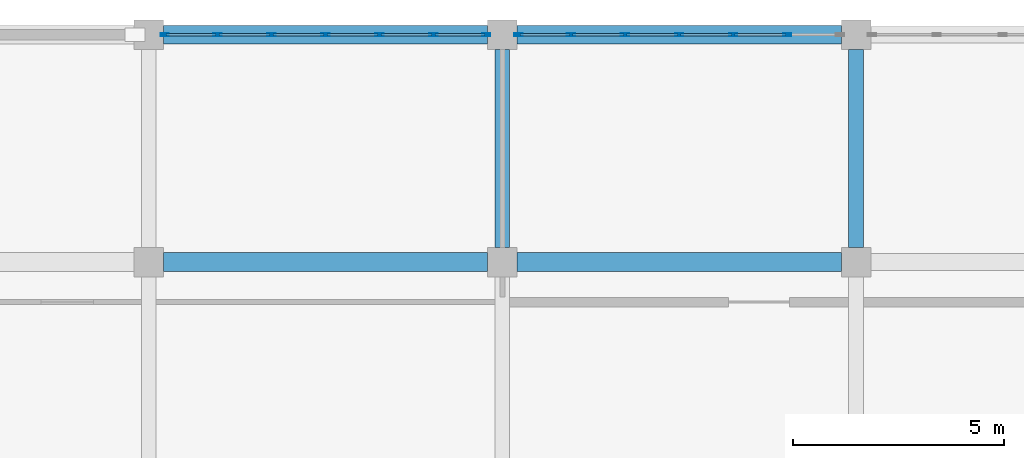
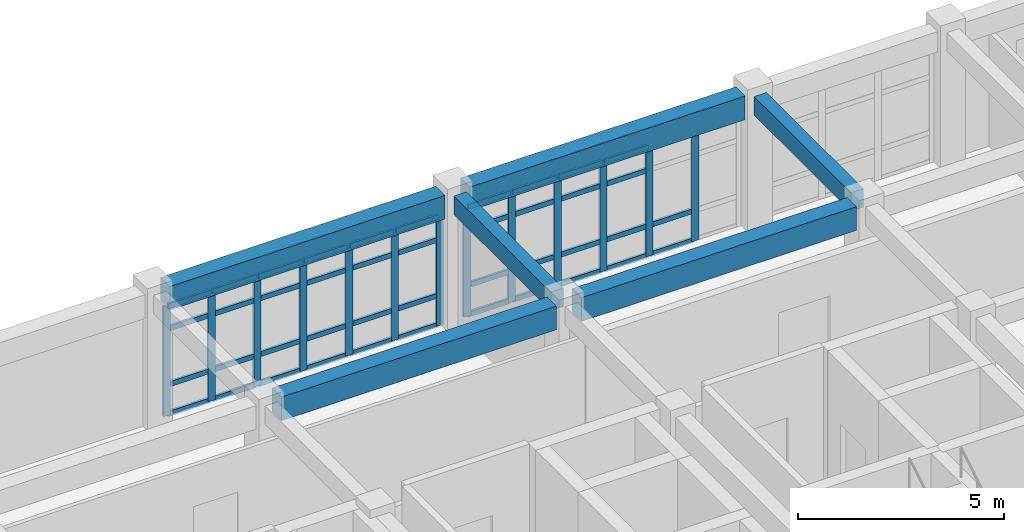
# One storey, part 12 of 23: 55 members, 6 beams, 2 elements without a shape of their own.
"""IFC4 building model written with IfcOpenShell, lengths in metres."""

import ifcopenshell
import ifcopenshell.guid

model = None  # the IFC model being written
_history = None  # IfcOwnerHistory: only IFC2X3 demands one
_inside = {}  # id of a spatial element -> (the spatial element, [elements in it])
_under = {}  # id of a project, library or spatial element -> (it, [spatial elements below it])
_declared = {}  # id of a project -> (the project, [libraries it declares])
_typed = {}  # id of a type object -> (the type object, [elements of that type])
_made_of = {}  # id of a material, layer set ... -> (it, [elements and type objects made of it])


def new_model(schema):
    """Start an empty IFC model of exactly this schema.

    Asked for "IFC4X3", IfcOpenShell would pick the latest addendum, in which some entities
    have other attributes; the version numbers below select the first issue.
    IFC2X3 requires an IfcOwnerHistory on every rooted entity: one is made here for all.
    """
    global model, _history
    if schema == "IFC4X3":
        model = ifcopenshell.file(schema_version=(4, 3, 0, 0))
    else:
        model = ifcopenshell.file(schema=schema)
    _inside.clear()
    _under.clear()
    _declared.clear()
    _typed.clear()
    _made_of.clear()
    _history = None
    if model.schema == "IFC2X3":
        org = make("IfcOrganization", Name="unknown")
        user = make(
            "IfcPersonAndOrganization",
            ThePerson=make("IfcPerson", FamilyName="unknown"),
            TheOrganization=org,
        )
        app = make(
            "IfcApplication",
            ApplicationDeveloper=org,
            Version="unknown",
            ApplicationFullName="unknown",
            ApplicationIdentifier="unknown",
        )
        _history = make(
            "IfcOwnerHistory",
            OwningUser=user,
            OwningApplication=app,
            ChangeAction="ADDED",
            CreationDate=0,
        )
    return model


def make(cls, **values):
    """One entity of the class cls with the attributes given. An attribute that is None is left unset."""
    return model.create_entity(
        cls, **{name: value for name, value in values.items() if value is not None}
    )


def rooted(cls, **values):
    """An entity with a GlobalId (a new one), such as an element, a storey or a relation."""
    return make(cls, GlobalId=ifcopenshell.guid.new(), OwnerHistory=_history, **values)


def si_unit(unit_type, name, prefix=None):
    """IfcSIUnit, for example si_unit("LENGTHUNIT", "METRE", prefix="MILLI")."""
    return make("IfcSIUnit", UnitType=unit_type, Prefix=prefix, Name=name)


def assignment(units):
    """IfcUnitAssignment: the units of a project."""
    return None if units is None else make("IfcUnitAssignment", Units=units)


def point(xyz):
    """IfcCartesianPoint."""
    return None if xyz is None else make("IfcCartesianPoint", Coordinates=xyz)


def direction(xyz):
    """IfcDirection."""
    return None if xyz is None else make("IfcDirection", DirectionRatios=xyz)


def frame(location, z_axis=None, x_axis=None):
    """IfcAxis2Placement3D, a coordinate frame: its origin and axes. An axis left out is left unset."""
    return make(
        "IfcAxis2Placement3D",
        Location=point(location),
        Axis=direction(z_axis),
        RefDirection=direction(x_axis),
    )


def frame_2d(location, x_axis=None):
    """IfcAxis2Placement2D, a coordinate frame in the plane: its origin and x axis."""
    return make(
        "IfcAxis2Placement2D", Location=point(location), RefDirection=direction(x_axis)
    )


def origin():
    """The frame at (0, 0, 0) with its axes left unset."""
    return frame((0.0, 0.0, 0.0))


def origin_2d():
    """The frame at (0, 0) in the plane with its x axis left unset."""
    return frame_2d((0.0, 0.0))


def place(relative_to, where):
    """IfcLocalPlacement: puts the frame where relative to a parent placement (None: the world)."""
    return make(
        "IfcLocalPlacement", PlacementRelTo=relative_to, RelativePlacement=where
    )


def context(
    kind, dimensions, precision=None, world=None, true_north=None, identifier=None
):
    """IfcGeometricRepresentationContext, for example the 3D "Model" context."""
    return make(
        "IfcGeometricRepresentationContext",
        ContextIdentifier=identifier,
        ContextType=kind,
        CoordinateSpaceDimension=dimensions,
        Precision=precision,
        WorldCoordinateSystem=world,
        TrueNorth=true_north,
    )


def subcontext(parent, identifier, kind, view, scale=None):
    """IfcGeometricRepresentationSubContext, for example "Body" below "Model"."""
    return make(
        "IfcGeometricRepresentationSubContext",
        ContextIdentifier=identifier,
        ContextType=kind,
        ParentContext=parent,
        TargetScale=scale,
        TargetView=view,
    )


def project(units=None, contexts=None):
    """IfcProject with its units and contexts."""
    return rooted(
        "IfcProject",
        Name="project",
        RepresentationContexts=contexts,
        UnitsInContext=assignment(units),
    )


def spatial(cls, under=None, at=None, **own):
    """A site, building, storey or space (cls), placed at a placement, below another one or the project."""
    s = rooted(cls, ObjectPlacement=at, **own)
    if under is not None:
        _under.setdefault(under.id(), (under, []))[1].append(s)
    return s


def profile(cls, at=None, kind="AREA", **sizes):
    """A parametric profile (cls). Its sizes go by their IFC names, for example OverallWidth=200.0."""
    return make(cls, ProfileType=kind, Position=at, **sizes)


def rectangle(**sizes):
    """IfcRectangleProfileDef."""
    return profile("IfcRectangleProfileDef", **sizes)


def hollow_rectangle(**sizes):
    """IfcRectangleHollowProfileDef."""
    return profile("IfcRectangleHollowProfileDef", **sizes)


def extrude(swept, where, along, depth):
    """IfcExtrudedAreaSolid: the profile swept, set in the frame where, extruded along a direction by depth."""
    return make(
        "IfcExtrudedAreaSolid",
        SweptArea=swept,
        Position=where,
        ExtrudedDirection=direction(along),
        Depth=depth,
    )


def shape(context_of_items, identifier, shape_type, items):
    """IfcShapeRepresentation: the items that make up one representation, for example the "Body"."""
    return make(
        "IfcShapeRepresentation",
        ContextOfItems=context_of_items,
        RepresentationIdentifier=identifier,
        RepresentationType=shape_type,
        Items=items,
    )


def material(Name=None, Category=None):
    """IfcMaterial."""
    return make("IfcMaterial", Name=Name, Category=Category)


def layer(
    of_material, thickness, ventilated=None, Name=None, Category=None, Priority=None
):
    """IfcMaterialLayer: one layer of a wall or slab, of a material (None: an air gap)."""
    return make(
        "IfcMaterialLayer",
        Material=of_material,
        LayerThickness=thickness,
        IsVentilated=ventilated,
        Name=Name,
        Category=Category,
        Priority=Priority,
    )


def layer_set(layers, Name=None):
    """IfcMaterialLayerSet."""
    return make("IfcMaterialLayerSet", MaterialLayers=layers, LayerSetName=Name)


def material_profile(
    of_material, cross_section, Name=None, Category=None, Priority=None
):
    """IfcMaterialProfile: a cross section and its material."""
    return make(
        "IfcMaterialProfile",
        Name=Name,
        Material=of_material,
        Profile=cross_section,
        Priority=Priority,
        Category=Category,
    )


def profile_set(profiles, Name=None, composite=None):
    """IfcMaterialProfileSet."""
    return make(
        "IfcMaterialProfileSet",
        Name=Name,
        MaterialProfiles=profiles,
        CompositeProfile=composite,
    )


def made_of(thing, what):
    """Note that an element or type object is made of a material, layer set ...; save() writes the relation."""
    if what is not None:
        _made_of.setdefault(what.id(), (what, []))[1].append(thing)
    return thing


def type_object(cls, material=None, **own):
    """A type object (cls), such as IfcWallType, which elements share."""
    return made_of(rooted(cls, **own), material)


def element(
    cls,
    number,
    at=None,
    inside=None,
    cuts=None,
    type_object=None,
    material=None,
    context=None,
    identifier="Body",
    shape_type=None,
    held_by="IfcProductDefinitionShape",
    body=None,
    shapes=None,
    **own,
):
    """One element of the class cls, such as IfcWall. Its Tag is "e" and its number.

    at: its placement. inside: the storey or other place that contains it. cuts: it is an
    opening in that element (IfcRelVoidsElement). A single representation is given by context,
    identifier, shape_type and body (its items); several are given by shapes. held_by: the class
    of the entity that holds the representations. save() writes the other relations.
    """
    e = rooted(cls, Tag="e%d" % number, ObjectPlacement=at, **own)
    if body is not None:
        shapes = [shape(context, identifier, shape_type, body)]
    if shapes is not None:
        e.Representation = make(held_by, Representations=shapes)
    if inside is not None:
        _inside.setdefault(inside.id(), (inside, []))[1].append(e)
    if cuts is not None:
        rooted(
            "IfcRelVoidsElement", RelatingBuildingElement=cuts, RelatedOpeningElement=e
        )
    if type_object is not None:
        _typed.setdefault(type_object.id(), (type_object, []))[1].append(e)
    return made_of(e, material)


def aggregate(whole, parts):
    """IfcRelAggregates: a whole, such as a stair, and the parts it consists of."""
    return rooted("IfcRelAggregates", RelatingObject=whole, RelatedObjects=parts)


def save(model, path):
    """Write the relations noted so far, then the file.

    IfcRelAggregates (storeys below a building ...), IfcRelContainedInSpatialStructure (elements
    in a storey), IfcRelDefinesByType, IfcRelAssociatesMaterial and IfcRelDeclares: one each for
    every whole, place, type object, material and project.
    """
    for whole, parts in _under.values():
        aggregate(whole, parts)
    for where, things in _inside.values():
        rooted(
            "IfcRelContainedInSpatialStructure",
            RelatedElements=things,
            RelatingStructure=where,
        )
    for kind, things in _typed.values():
        rooted("IfcRelDefinesByType", RelatedObjects=things, RelatingType=kind)
    for what, things in _made_of.values():
        rooted("IfcRelAssociatesMaterial", RelatedObjects=things, RelatingMaterial=what)
    for by, libraries in _declared.values():
        rooted("IfcRelDeclares", RelatingContext=by, RelatedDefinitions=libraries)
    model.write(path)


model = new_model("IFC4")

# Units and contexts
model_context = context("Model", 3, precision=1e-05, world=origin(), true_north=direction((0.0, 1.0)))
body_context = subcontext(model_context, "Body", "Model", "MODEL_VIEW")
ifc_project = project(units=[si_unit("LENGTHUNIT", "METRE"), si_unit("AREAUNIT", "SQUARE_METRE"), si_unit("VOLUMEUNIT", "CUBIC_METRE"), si_unit("PLANEANGLEUNIT", "RADIAN"), si_unit("MASSUNIT", "GRAM", prefix="KILO")], contexts=[model_context])

# Site, building, storey
site_placement = place(None, origin())
site = spatial("IfcSite", under=ifc_project, at=site_placement, CompositionType="ELEMENT")
building_placement = place(site_placement, origin())
building = spatial("IfcBuilding", under=site, at=building_placement, Name="Krzemoval Escarpment Law Courts", CompositionType="ELEMENT")
storey_placement = place(building_placement, frame((0.0, 0.0, 25.199951171875)))
storey = spatial("IfcBuildingStorey", under=building, at=storey_placement, Name="L05", CompositionType="ELEMENT", Elevation=25.199951171875)

# Beams
ifc_material_1 = material(Name="Concrete C40/50", Category="concrete")
ifc_material_profile_1 = material_profile(ifc_material_1, rectangle(XDim=0.35009765625, YDim=0.550048828125, at=origin_2d()), Name="RCB 350x550")
ifc_profile_set_1 = profile_set([ifc_material_profile_1], Name="Concrete C40/50")
beam_type_1 = type_object("IfcBeamType", Name="BM-RC-350x550", PredefinedType="BEAM", material=ifc_profile_set_1)
for number, where, z_axis, x_axis, name in (
    (1, (142.800048828125, 113.75, 3.675048828125), (0.0, 1.0, 0.0), (-1.0, 0.0, 0.0), "Beam FG-L05-2611"),
    (2, (151.199951171875, 113.75, 3.675048828125), (0.0, 1.0, 0.0), (-1.0, 0.0, 0.0), "Beam FG-L05-2615"),
):
    element("IfcBeam", number, at=place(storey_placement, frame(where, z_axis=z_axis, x_axis=x_axis)), inside=storey, type_object=beam_type_1, Name=name, PredefinedType="BEAM", context=body_context, shape_type="SweptSolid", body=[
        extrude(rectangle(XDim=0.35009765625, YDim=0.550048828125, at=origin_2d()), origin(), (0.0, 0.0, 1.0), 4.699951171875),
    ])
ifc_material_2 = material(Name="Concrete C40/50", Category="concrete")
ifc_material_profile_2 = material_profile(ifc_material_2, rectangle(XDim=0.449951171875, YDim=0.699951171875, at=origin_2d()), Name="RCB 450x700")
ifc_profile_set_2 = profile_set([ifc_material_profile_2], Name="Concrete C40/50")
beam_type_2 = type_object("IfcBeamType", Name="BM-RC-450x700", PredefinedType="BEAM", material=ifc_profile_set_2)
beam_1_placement = place(storey_placement, frame((134.75, 113.39990234375, 3.60009765625), z_axis=(1.0, 0.0, 0.0), x_axis=(0.0, 1.0, 0.0)))
element("IfcBeam", 3, at=beam_1_placement, inside=storey, type_object=beam_type_2, Name="Beam FG-L05-2584", PredefinedType="BEAM", context=body_context, shape_type="SweptSolid", body=[
    extrude(rectangle(XDim=0.449951171875, YDim=0.699951171875, at=origin_2d()), origin(), (0.0, 0.0, 1.0), 7.699951171875),
])
beam_2_placement = place(storey_placement, frame((143.14990234375, 113.39990234375, 3.60009765625), z_axis=(1.0, 0.0, 0.0), x_axis=(0.0, 1.0, 0.0)))
element("IfcBeam", 4, at=beam_2_placement, inside=storey, type_object=beam_type_2, Name="Beam FG-L05-2585", PredefinedType="BEAM", context=body_context, shape_type="SweptSolid", body=[
    extrude(rectangle(XDim=0.449951171875, YDim=0.699951171875, at=origin_2d()), origin(), (0.0, 0.0, 1.0), 7.7001953125),
])
beam_3_placement = place(storey_placement, frame((134.75, 118.800048828125, 3.60009765625), z_axis=(1.0, 0.0, 0.0), x_axis=(0.0, 1.0, 0.0)))
element("IfcBeam", 5, at=beam_3_placement, inside=storey, type_object=beam_type_2, Name="Beam FG-L05-2591", PredefinedType="BEAM", context=body_context, shape_type="SweptSolid", body=[
    extrude(rectangle(XDim=0.449951171875, YDim=0.699951171875, at=origin_2d()), origin(), (0.0, 0.0, 1.0), 7.699951171875),
])
beam_4_placement = place(storey_placement, frame((143.14990234375, 118.800048828125, 3.60009765625), z_axis=(1.0, 0.0, 0.0), x_axis=(0.0, 1.0, 0.0)))
element("IfcBeam", 6, at=beam_4_placement, inside=storey, type_object=beam_type_2, Name="Beam FG-L05-2592", PredefinedType="BEAM", context=body_context, shape_type="SweptSolid", body=[
    extrude(rectangle(XDim=0.449951171875, YDim=0.699951171875, at=origin_2d()), origin(), (0.0, 0.0, 1.0), 7.7001953125),
])

# Curtain wall, members
ifc_material_3 = material(Name="Aluminium 6063-T6", Category="aluminium")
ifc_layer = layer(ifc_material_3, 0.219970703125)
ifc_layer_set = layer_set([ifc_layer], Name="Aluminium 6063-T6")
curtain_wall_type = type_object("IfcCurtainWallType", Name="CW-CHMB-4200", PredefinedType="USERDEFINED", material=ifc_layer_set)
curtain_wall_1_placement = place(storey_placement, origin())
curtain_wall_1 = element("IfcCurtainWall", 7, at=curtain_wall_1_placement, inside=storey, type_object=curtain_wall_type, Name="Unitised Curtain Wall FCW-L05-137", ObjectType="UNITISED_CURTAIN_WALL", PredefinedType="USERDEFINED")
ifc_material_4 = material(Name="Aluminium 6063-T6", Category="aluminium")
ifc_material_profile_3 = material_profile(ifc_material_4, hollow_rectangle(XDim=0.06494140625, YDim=0.199951171875, WallThickness=0.00439453125, at=origin_2d()), Name="ALU M65x200")
ifc_profile_set_3 = profile_set([ifc_material_profile_3], Name="Aluminium 6063-T6")
member_type_1 = type_object("IfcMemberType", Name="CWM-65x200", PredefinedType="MULLION", material=ifc_profile_set_3)
member_1_placement = place(storey_placement, frame((134.782470703125, 118.800048828125, 0.0), z_axis=(0.0, 0.0, 1.0), x_axis=(0.0, 1.0, 0.0)))
member_1 = element("IfcMember", 8, at=member_1_placement, type_object=member_type_1, Name="FCW-L05-137 mullion 1", PredefinedType="MULLION", context=body_context, shape_type="SweptSolid", body=[
    extrude(hollow_rectangle(XDim=0.06494140625, YDim=0.199951171875, WallThickness=0.00439453125, at=origin_2d()), origin(), (0.0, 0.0, 1.0), 3.25),
])
member_2_placement = place(storey_placement, frame((136.033447265625, 118.800048828125, 0.0), z_axis=(0.0, 0.0, 1.0), x_axis=(0.0, 1.0, 0.0)))
member_2 = element("IfcMember", 9, at=member_2_placement, type_object=member_type_1, Name="FCW-L05-137 mullion 2", PredefinedType="MULLION", context=body_context, shape_type="SweptSolid", body=[
    extrude(hollow_rectangle(XDim=0.06494140625, YDim=0.199951171875, WallThickness=0.00439453125, at=origin_2d()), origin(), (0.0, 0.0, 1.0), 3.25),
])
member_3_placement = place(storey_placement, frame((137.316650390625, 118.800048828125, 0.0), z_axis=(0.0, 0.0, 1.0), x_axis=(0.0, 1.0, 0.0)))
member_3 = element("IfcMember", 10, at=member_3_placement, type_object=member_type_1, Name="FCW-L05-137 mullion 3", PredefinedType="MULLION", context=body_context, shape_type="SweptSolid", body=[
    extrude(hollow_rectangle(XDim=0.06494140625, YDim=0.199951171875, WallThickness=0.00439453125, at=origin_2d()), origin(), (0.0, 0.0, 1.0), 3.25),
])
member_4_placement = place(storey_placement, frame((138.60009765625, 118.800048828125, 0.0), z_axis=(0.0, 0.0, 1.0), x_axis=(0.0, 1.0, 0.0)))
member_4 = element("IfcMember", 11, at=member_4_placement, type_object=member_type_1, Name="FCW-L05-137 mullion 4", PredefinedType="MULLION", context=body_context, shape_type="SweptSolid", body=[
    extrude(hollow_rectangle(XDim=0.06494140625, YDim=0.199951171875, WallThickness=0.00439453125, at=origin_2d()), origin(), (0.0, 0.0, 1.0), 3.25),
])
member_5_placement = place(storey_placement, frame((139.88330078125, 118.800048828125, 0.0), z_axis=(0.0, 0.0, 1.0), x_axis=(0.0, 1.0, 0.0)))
member_5 = element("IfcMember", 12, at=member_5_placement, type_object=member_type_1, Name="FCW-L05-137 mullion 5", PredefinedType="MULLION", context=body_context, shape_type="SweptSolid", body=[
    extrude(hollow_rectangle(XDim=0.06494140625, YDim=0.199951171875, WallThickness=0.00439453125, at=origin_2d()), origin(), (0.0, 0.0, 1.0), 3.25),
])
member_6_placement = place(storey_placement, frame((141.166748046875, 118.800048828125, 0.0), z_axis=(0.0, 0.0, 1.0), x_axis=(0.0, 1.0, 0.0)))
member_6 = element("IfcMember", 13, at=member_6_placement, type_object=member_type_1, Name="FCW-L05-137 mullion 6", PredefinedType="MULLION", context=body_context, shape_type="SweptSolid", body=[
    extrude(hollow_rectangle(XDim=0.06494140625, YDim=0.199951171875, WallThickness=0.00439453125, at=origin_2d()), origin(), (0.0, 0.0, 1.0), 3.25),
])
member_7_placement = place(storey_placement, frame((142.41748046875, 118.800048828125, 0.0), z_axis=(0.0, 0.0, 1.0), x_axis=(0.0, 1.0, 0.0)))
member_7 = element("IfcMember", 14, at=member_7_placement, type_object=member_type_1, Name="FCW-L05-137 mullion 7", PredefinedType="MULLION", context=body_context, shape_type="SweptSolid", body=[
    extrude(hollow_rectangle(XDim=0.06494140625, YDim=0.199951171875, WallThickness=0.00439453125, at=origin_2d()), origin(), (0.0, 0.0, 1.0), 3.25),
])

curtain_wall_2_placement = place(storey_placement, origin())
curtain_wall_2 = element("IfcCurtainWall", 15, at=curtain_wall_2_placement, inside=storey, type_object=curtain_wall_type, Name="Unitised Curtain Wall FCW-L05-138", ObjectType="UNITISED_CURTAIN_WALL", PredefinedType="USERDEFINED")
member_8_placement = place(storey_placement, frame((143.1826171875, 118.800048828125, 0.0), z_axis=(0.0, 0.0, 1.0), x_axis=(0.0, 1.0, 0.0)))
member_8 = element("IfcMember", 16, at=member_8_placement, type_object=member_type_1, Name="FCW-L05-138 mullion 1", PredefinedType="MULLION", context=body_context, shape_type="SweptSolid", body=[
    extrude(hollow_rectangle(XDim=0.06494140625, YDim=0.199951171875, WallThickness=0.00439453125, at=origin_2d()), origin(), (0.0, 0.0, 1.0), 3.25),
])
member_9_placement = place(storey_placement, frame((144.433349609375, 118.800048828125, 0.0), z_axis=(0.0, 0.0, 1.0), x_axis=(0.0, 1.0, 0.0)))
member_9 = element("IfcMember", 17, at=member_9_placement, type_object=member_type_1, Name="FCW-L05-138 mullion 2", PredefinedType="MULLION", context=body_context, shape_type="SweptSolid", body=[
    extrude(hollow_rectangle(XDim=0.06494140625, YDim=0.199951171875, WallThickness=0.00439453125, at=origin_2d()), origin(), (0.0, 0.0, 1.0), 3.25),
])
member_10_placement = place(storey_placement, frame((145.716552734375, 118.800048828125, 0.0), z_axis=(0.0, 0.0, 1.0), x_axis=(0.0, 1.0, 0.0)))
member_10 = element("IfcMember", 18, at=member_10_placement, type_object=member_type_1, Name="FCW-L05-138 mullion 3", PredefinedType="MULLION", context=body_context, shape_type="SweptSolid", body=[
    extrude(hollow_rectangle(XDim=0.06494140625, YDim=0.199951171875, WallThickness=0.00439453125, at=origin_2d()), origin(), (0.0, 0.0, 1.0), 3.25),
])
member_11_placement = place(storey_placement, frame((147.0, 118.800048828125, 0.0), z_axis=(0.0, 0.0, 1.0), x_axis=(0.0, 1.0, 0.0)))
member_11 = element("IfcMember", 19, at=member_11_placement, type_object=member_type_1, Name="FCW-L05-138 mullion 4", PredefinedType="MULLION", context=body_context, shape_type="SweptSolid", body=[
    extrude(hollow_rectangle(XDim=0.06494140625, YDim=0.199951171875, WallThickness=0.00439453125, at=origin_2d()), origin(), (0.0, 0.0, 1.0), 3.25),
])
member_12_placement = place(storey_placement, frame((148.283447265625, 118.800048828125, 0.0), z_axis=(0.0, 0.0, 1.0), x_axis=(0.0, 1.0, 0.0)))
member_12 = element("IfcMember", 20, at=member_12_placement, type_object=member_type_1, Name="FCW-L05-138 mullion 5", PredefinedType="MULLION", context=body_context, shape_type="SweptSolid", body=[
    extrude(hollow_rectangle(XDim=0.06494140625, YDim=0.199951171875, WallThickness=0.00439453125, at=origin_2d()), origin(), (0.0, 0.0, 1.0), 3.25),
])
member_13_placement = place(storey_placement, frame((149.566650390625, 118.800048828125, 0.0), z_axis=(0.0, 0.0, 1.0), x_axis=(0.0, 1.0, 0.0)))
member_13 = element("IfcMember", 21, at=member_13_placement, type_object=member_type_1, Name="FCW-L05-138 mullion 6", PredefinedType="MULLION", context=body_context, shape_type="SweptSolid", body=[
    extrude(hollow_rectangle(XDim=0.06494140625, YDim=0.199951171875, WallThickness=0.00439453125, at=origin_2d()), origin(), (0.0, 0.0, 1.0), 3.25),
])

# Member
ifc_material_5 = material(Name="Aluminium 6063-T6", Category="aluminium")
ifc_material_profile_4 = material_profile(ifc_material_5, hollow_rectangle(XDim=0.06494140625, YDim=0.14990234375, WallThickness=0.00439453125, at=origin_2d()), Name="ALU T65x150")
ifc_profile_set_4 = profile_set([ifc_material_profile_4], Name="Aluminium 6063-T6")
member_type_2 = type_object("IfcMemberType", Name="CWT-65x150", PredefinedType="USERDEFINED", material=ifc_profile_set_4)
member_14_placement = place(storey_placement, frame((134.81494140625, 118.800048828125, 0.032470703125), z_axis=(1.0, 0.0, 0.0), x_axis=(0.0, 1.0, 0.0)))
member_14 = element("IfcMember", 22, at=member_14_placement, type_object=member_type_2, Name="FCW-L05-137 transom 1.1", ObjectType="TRANSOM", PredefinedType="USERDEFINED", context=body_context, shape_type="SweptSolid", body=[
    extrude(hollow_rectangle(XDim=0.06494140625, YDim=0.14990234375, WallThickness=0.00439453125, at=origin_2d()), origin(), (0.0, 0.0, 1.0), 1.185791015625),
])

member_15_placement = place(storey_placement, frame((134.81494140625, 118.800048828125, 0.900146484375), z_axis=(1.0, 0.0, 0.0), x_axis=(0.0, 1.0, 0.0)))
member_15 = element("IfcMember", 23, at=member_15_placement, type_object=member_type_2, Name="FCW-L05-137 transom 1.2", ObjectType="TRANSOM", PredefinedType="USERDEFINED", context=body_context, shape_type="SweptSolid", body=[
    extrude(hollow_rectangle(XDim=0.06494140625, YDim=0.14990234375, WallThickness=0.00439453125, at=origin_2d()), origin(), (0.0, 0.0, 1.0), 1.185791015625),
])

member_16_placement = place(storey_placement, frame((134.81494140625, 118.800048828125, 2.550048828125), z_axis=(1.0, 0.0, 0.0), x_axis=(0.0, 1.0, 0.0)))
member_16 = element("IfcMember", 24, at=member_16_placement, type_object=member_type_2, Name="FCW-L05-137 transom 1.3", ObjectType="TRANSOM", PredefinedType="USERDEFINED", context=body_context, shape_type="SweptSolid", body=[
    extrude(hollow_rectangle(XDim=0.06494140625, YDim=0.14990234375, WallThickness=0.00439453125, at=origin_2d()), origin(), (0.0, 0.0, 1.0), 1.185791015625),
])

member_17_placement = place(storey_placement, frame((134.81494140625, 118.800048828125, 3.217529296875), z_axis=(1.0, 0.0, 0.0), x_axis=(0.0, 1.0, 0.0)))
member_17 = element("IfcMember", 25, at=member_17_placement, type_object=member_type_2, Name="FCW-L05-137 transom 1.4", ObjectType="TRANSOM", PredefinedType="USERDEFINED", context=body_context, shape_type="SweptSolid", body=[
    extrude(hollow_rectangle(XDim=0.06494140625, YDim=0.14990234375, WallThickness=0.00439453125, at=origin_2d()), origin(), (0.0, 0.0, 1.0), 1.185791015625),
])

member_18_placement = place(storey_placement, frame((136.06591796875, 118.800048828125, 0.032470703125), z_axis=(1.0, 0.0, 0.0), x_axis=(0.0, 1.0, 0.0)))
member_18 = element("IfcMember", 26, at=member_18_placement, type_object=member_type_2, Name="FCW-L05-137 transom 2.1", ObjectType="TRANSOM", PredefinedType="USERDEFINED", context=body_context, shape_type="SweptSolid", body=[
    extrude(hollow_rectangle(XDim=0.06494140625, YDim=0.14990234375, WallThickness=0.00439453125, at=origin_2d()), origin(), (0.0, 0.0, 1.0), 1.21826171875),
])

member_19_placement = place(storey_placement, frame((136.06591796875, 118.800048828125, 0.900146484375), z_axis=(1.0, 0.0, 0.0), x_axis=(0.0, 1.0, 0.0)))
member_19 = element("IfcMember", 27, at=member_19_placement, type_object=member_type_2, Name="FCW-L05-137 transom 2.2", ObjectType="TRANSOM", PredefinedType="USERDEFINED", context=body_context, shape_type="SweptSolid", body=[
    extrude(hollow_rectangle(XDim=0.06494140625, YDim=0.14990234375, WallThickness=0.00439453125, at=origin_2d()), origin(), (0.0, 0.0, 1.0), 1.21826171875),
])

member_20_placement = place(storey_placement, frame((136.06591796875, 118.800048828125, 2.550048828125), z_axis=(1.0, 0.0, 0.0), x_axis=(0.0, 1.0, 0.0)))
member_20 = element("IfcMember", 28, at=member_20_placement, type_object=member_type_2, Name="FCW-L05-137 transom 2.3", ObjectType="TRANSOM", PredefinedType="USERDEFINED", context=body_context, shape_type="SweptSolid", body=[
    extrude(hollow_rectangle(XDim=0.06494140625, YDim=0.14990234375, WallThickness=0.00439453125, at=origin_2d()), origin(), (0.0, 0.0, 1.0), 1.21826171875),
])

member_21_placement = place(storey_placement, frame((136.06591796875, 118.800048828125, 3.217529296875), z_axis=(1.0, 0.0, 0.0), x_axis=(0.0, 1.0, 0.0)))
member_21 = element("IfcMember", 29, at=member_21_placement, type_object=member_type_2, Name="FCW-L05-137 transom 2.4", ObjectType="TRANSOM", PredefinedType="USERDEFINED", context=body_context, shape_type="SweptSolid", body=[
    extrude(hollow_rectangle(XDim=0.06494140625, YDim=0.14990234375, WallThickness=0.00439453125, at=origin_2d()), origin(), (0.0, 0.0, 1.0), 1.21826171875),
])

member_22_placement = place(storey_placement, frame((137.34912109375, 118.800048828125, 0.032470703125), z_axis=(1.0, 0.0, 0.0), x_axis=(0.0, 1.0, 0.0)))
member_22 = element("IfcMember", 30, at=member_22_placement, type_object=member_type_2, Name="FCW-L05-137 transom 3.1", ObjectType="TRANSOM", PredefinedType="USERDEFINED", context=body_context, shape_type="SweptSolid", body=[
    extrude(hollow_rectangle(XDim=0.06494140625, YDim=0.14990234375, WallThickness=0.00439453125, at=origin_2d()), origin(), (0.0, 0.0, 1.0), 1.21826171875),
])

member_23_placement = place(storey_placement, frame((137.34912109375, 118.800048828125, 0.900146484375), z_axis=(1.0, 0.0, 0.0), x_axis=(0.0, 1.0, 0.0)))
member_23 = element("IfcMember", 31, at=member_23_placement, type_object=member_type_2, Name="FCW-L05-137 transom 3.2", ObjectType="TRANSOM", PredefinedType="USERDEFINED", context=body_context, shape_type="SweptSolid", body=[
    extrude(hollow_rectangle(XDim=0.06494140625, YDim=0.14990234375, WallThickness=0.00439453125, at=origin_2d()), origin(), (0.0, 0.0, 1.0), 1.21826171875),
])

member_24_placement = place(storey_placement, frame((137.34912109375, 118.800048828125, 2.550048828125), z_axis=(1.0, 0.0, 0.0), x_axis=(0.0, 1.0, 0.0)))
member_24 = element("IfcMember", 32, at=member_24_placement, type_object=member_type_2, Name="FCW-L05-137 transom 3.3", ObjectType="TRANSOM", PredefinedType="USERDEFINED", context=body_context, shape_type="SweptSolid", body=[
    extrude(hollow_rectangle(XDim=0.06494140625, YDim=0.14990234375, WallThickness=0.00439453125, at=origin_2d()), origin(), (0.0, 0.0, 1.0), 1.21826171875),
])

member_25_placement = place(storey_placement, frame((137.34912109375, 118.800048828125, 3.217529296875), z_axis=(1.0, 0.0, 0.0), x_axis=(0.0, 1.0, 0.0)))
member_25 = element("IfcMember", 33, at=member_25_placement, type_object=member_type_2, Name="FCW-L05-137 transom 3.4", ObjectType="TRANSOM", PredefinedType="USERDEFINED", context=body_context, shape_type="SweptSolid", body=[
    extrude(hollow_rectangle(XDim=0.06494140625, YDim=0.14990234375, WallThickness=0.00439453125, at=origin_2d()), origin(), (0.0, 0.0, 1.0), 1.21826171875),
])

member_26_placement = place(storey_placement, frame((138.632568359375, 118.800048828125, 0.032470703125), z_axis=(1.0, 0.0, 0.0), x_axis=(0.0, 1.0, 0.0)))
member_26 = element("IfcMember", 34, at=member_26_placement, type_object=member_type_2, Name="FCW-L05-137 transom 4.1", ObjectType="TRANSOM", PredefinedType="USERDEFINED", context=body_context, shape_type="SweptSolid", body=[
    extrude(hollow_rectangle(XDim=0.06494140625, YDim=0.14990234375, WallThickness=0.00439453125, at=origin_2d()), origin(), (0.0, 0.0, 1.0), 1.21826171875),
])

member_27_placement = place(storey_placement, frame((138.632568359375, 118.800048828125, 0.900146484375), z_axis=(1.0, 0.0, 0.0), x_axis=(0.0, 1.0, 0.0)))
member_27 = element("IfcMember", 35, at=member_27_placement, type_object=member_type_2, Name="FCW-L05-137 transom 4.2", ObjectType="TRANSOM", PredefinedType="USERDEFINED", context=body_context, shape_type="SweptSolid", body=[
    extrude(hollow_rectangle(XDim=0.06494140625, YDim=0.14990234375, WallThickness=0.00439453125, at=origin_2d()), origin(), (0.0, 0.0, 1.0), 1.21826171875),
])

member_28_placement = place(storey_placement, frame((138.632568359375, 118.800048828125, 2.550048828125), z_axis=(1.0, 0.0, 0.0), x_axis=(0.0, 1.0, 0.0)))
member_28 = element("IfcMember", 36, at=member_28_placement, type_object=member_type_2, Name="FCW-L05-137 transom 4.3", ObjectType="TRANSOM", PredefinedType="USERDEFINED", context=body_context, shape_type="SweptSolid", body=[
    extrude(hollow_rectangle(XDim=0.06494140625, YDim=0.14990234375, WallThickness=0.00439453125, at=origin_2d()), origin(), (0.0, 0.0, 1.0), 1.21826171875),
])

member_29_placement = place(storey_placement, frame((138.632568359375, 118.800048828125, 3.217529296875), z_axis=(1.0, 0.0, 0.0), x_axis=(0.0, 1.0, 0.0)))
member_29 = element("IfcMember", 37, at=member_29_placement, type_object=member_type_2, Name="FCW-L05-137 transom 4.4", ObjectType="TRANSOM", PredefinedType="USERDEFINED", context=body_context, shape_type="SweptSolid", body=[
    extrude(hollow_rectangle(XDim=0.06494140625, YDim=0.14990234375, WallThickness=0.00439453125, at=origin_2d()), origin(), (0.0, 0.0, 1.0), 1.21826171875),
])

member_30_placement = place(storey_placement, frame((139.915771484375, 118.800048828125, 0.032470703125), z_axis=(1.0, 0.0, 0.0), x_axis=(0.0, 1.0, 0.0)))
member_30 = element("IfcMember", 38, at=member_30_placement, type_object=member_type_2, Name="FCW-L05-137 transom 5.1", ObjectType="TRANSOM", PredefinedType="USERDEFINED", context=body_context, shape_type="SweptSolid", body=[
    extrude(hollow_rectangle(XDim=0.06494140625, YDim=0.14990234375, WallThickness=0.00439453125, at=origin_2d()), origin(), (0.0, 0.0, 1.0), 1.218505859375),
])

member_31_placement = place(storey_placement, frame((139.915771484375, 118.800048828125, 0.900146484375), z_axis=(1.0, 0.0, 0.0), x_axis=(0.0, 1.0, 0.0)))
member_31 = element("IfcMember", 39, at=member_31_placement, type_object=member_type_2, Name="FCW-L05-137 transom 5.2", ObjectType="TRANSOM", PredefinedType="USERDEFINED", context=body_context, shape_type="SweptSolid", body=[
    extrude(hollow_rectangle(XDim=0.06494140625, YDim=0.14990234375, WallThickness=0.00439453125, at=origin_2d()), origin(), (0.0, 0.0, 1.0), 1.218505859375),
])

member_32_placement = place(storey_placement, frame((139.915771484375, 118.800048828125, 2.550048828125), z_axis=(1.0, 0.0, 0.0), x_axis=(0.0, 1.0, 0.0)))
member_32 = element("IfcMember", 40, at=member_32_placement, type_object=member_type_2, Name="FCW-L05-137 transom 5.3", ObjectType="TRANSOM", PredefinedType="USERDEFINED", context=body_context, shape_type="SweptSolid", body=[
    extrude(hollow_rectangle(XDim=0.06494140625, YDim=0.14990234375, WallThickness=0.00439453125, at=origin_2d()), origin(), (0.0, 0.0, 1.0), 1.218505859375),
])

member_33_placement = place(storey_placement, frame((139.915771484375, 118.800048828125, 3.217529296875), z_axis=(1.0, 0.0, 0.0), x_axis=(0.0, 1.0, 0.0)))
member_33 = element("IfcMember", 41, at=member_33_placement, type_object=member_type_2, Name="FCW-L05-137 transom 5.4", ObjectType="TRANSOM", PredefinedType="USERDEFINED", context=body_context, shape_type="SweptSolid", body=[
    extrude(hollow_rectangle(XDim=0.06494140625, YDim=0.14990234375, WallThickness=0.00439453125, at=origin_2d()), origin(), (0.0, 0.0, 1.0), 1.218505859375),
])

member_34_placement = place(storey_placement, frame((141.19921875, 118.800048828125, 0.032470703125), z_axis=(1.0, 0.0, 0.0), x_axis=(0.0, 1.0, 0.0)))
member_34 = element("IfcMember", 42, at=member_34_placement, type_object=member_type_2, Name="FCW-L05-137 transom 6.1", ObjectType="TRANSOM", PredefinedType="USERDEFINED", context=body_context, shape_type="SweptSolid", body=[
    extrude(hollow_rectangle(XDim=0.06494140625, YDim=0.14990234375, WallThickness=0.00439453125, at=origin_2d()), origin(), (0.0, 0.0, 1.0), 1.185791015625),
])

member_35_placement = place(storey_placement, frame((141.19921875, 118.800048828125, 0.900146484375), z_axis=(1.0, 0.0, 0.0), x_axis=(0.0, 1.0, 0.0)))
member_35 = element("IfcMember", 43, at=member_35_placement, type_object=member_type_2, Name="FCW-L05-137 transom 6.2", ObjectType="TRANSOM", PredefinedType="USERDEFINED", context=body_context, shape_type="SweptSolid", body=[
    extrude(hollow_rectangle(XDim=0.06494140625, YDim=0.14990234375, WallThickness=0.00439453125, at=origin_2d()), origin(), (0.0, 0.0, 1.0), 1.185791015625),
])

member_36_placement = place(storey_placement, frame((141.19921875, 118.800048828125, 2.550048828125), z_axis=(1.0, 0.0, 0.0), x_axis=(0.0, 1.0, 0.0)))
member_36 = element("IfcMember", 44, at=member_36_placement, type_object=member_type_2, Name="FCW-L05-137 transom 6.3", ObjectType="TRANSOM", PredefinedType="USERDEFINED", context=body_context, shape_type="SweptSolid", body=[
    extrude(hollow_rectangle(XDim=0.06494140625, YDim=0.14990234375, WallThickness=0.00439453125, at=origin_2d()), origin(), (0.0, 0.0, 1.0), 1.185791015625),
])

member_37_placement = place(storey_placement, frame((141.19921875, 118.800048828125, 3.217529296875), z_axis=(1.0, 0.0, 0.0), x_axis=(0.0, 1.0, 0.0)))
member_37 = element("IfcMember", 45, at=member_37_placement, type_object=member_type_2, Name="FCW-L05-137 transom 6.4", ObjectType="TRANSOM", PredefinedType="USERDEFINED", context=body_context, shape_type="SweptSolid", body=[
    extrude(hollow_rectangle(XDim=0.06494140625, YDim=0.14990234375, WallThickness=0.00439453125, at=origin_2d()), origin(), (0.0, 0.0, 1.0), 1.185791015625),
])

aggregate(curtain_wall_1, [member_1, member_2, member_3, member_4, member_5, member_6, member_7, member_14, member_15, member_16, member_17, member_18, member_19, member_20, member_21, member_22, member_23, member_24, member_25, member_26, member_27, member_28, member_29, member_30, member_31, member_32, member_33, member_34, member_35, member_36, member_37])

member_38_placement = place(storey_placement, frame((143.215087890625, 118.800048828125, 0.032470703125), z_axis=(1.0, 0.0, 0.0), x_axis=(0.0, 1.0, 0.0)))
member_38 = element("IfcMember", 46, at=member_38_placement, type_object=member_type_2, Name="FCW-L05-138 transom 1.1", ObjectType="TRANSOM", PredefinedType="USERDEFINED", context=body_context, shape_type="SweptSolid", body=[
    extrude(hollow_rectangle(XDim=0.06494140625, YDim=0.14990234375, WallThickness=0.00439453125, at=origin_2d()), origin(), (0.0, 0.0, 1.0), 1.185791015625),
])

member_39_placement = place(storey_placement, frame((143.215087890625, 118.800048828125, 0.900146484375), z_axis=(1.0, 0.0, 0.0), x_axis=(0.0, 1.0, 0.0)))
member_39 = element("IfcMember", 47, at=member_39_placement, type_object=member_type_2, Name="FCW-L05-138 transom 1.2", ObjectType="TRANSOM", PredefinedType="USERDEFINED", context=body_context, shape_type="SweptSolid", body=[
    extrude(hollow_rectangle(XDim=0.06494140625, YDim=0.14990234375, WallThickness=0.00439453125, at=origin_2d()), origin(), (0.0, 0.0, 1.0), 1.185791015625),
])

member_40_placement = place(storey_placement, frame((143.215087890625, 118.800048828125, 2.550048828125), z_axis=(1.0, 0.0, 0.0), x_axis=(0.0, 1.0, 0.0)))
member_40 = element("IfcMember", 48, at=member_40_placement, type_object=member_type_2, Name="FCW-L05-138 transom 1.3", ObjectType="TRANSOM", PredefinedType="USERDEFINED", context=body_context, shape_type="SweptSolid", body=[
    extrude(hollow_rectangle(XDim=0.06494140625, YDim=0.14990234375, WallThickness=0.00439453125, at=origin_2d()), origin(), (0.0, 0.0, 1.0), 1.185791015625),
])

member_41_placement = place(storey_placement, frame((143.215087890625, 118.800048828125, 3.217529296875), z_axis=(1.0, 0.0, 0.0), x_axis=(0.0, 1.0, 0.0)))
member_41 = element("IfcMember", 49, at=member_41_placement, type_object=member_type_2, Name="FCW-L05-138 transom 1.4", ObjectType="TRANSOM", PredefinedType="USERDEFINED", context=body_context, shape_type="SweptSolid", body=[
    extrude(hollow_rectangle(XDim=0.06494140625, YDim=0.14990234375, WallThickness=0.00439453125, at=origin_2d()), origin(), (0.0, 0.0, 1.0), 1.185791015625),
])

member_42_placement = place(storey_placement, frame((144.4658203125, 118.800048828125, 0.032470703125), z_axis=(1.0, 0.0, 0.0), x_axis=(0.0, 1.0, 0.0)))
member_42 = element("IfcMember", 50, at=member_42_placement, type_object=member_type_2, Name="FCW-L05-138 transom 2.1", ObjectType="TRANSOM", PredefinedType="USERDEFINED", context=body_context, shape_type="SweptSolid", body=[
    extrude(hollow_rectangle(XDim=0.06494140625, YDim=0.14990234375, WallThickness=0.00439453125, at=origin_2d()), origin(), (0.0, 0.0, 1.0), 1.21826171875),
])

member_43_placement = place(storey_placement, frame((144.4658203125, 118.800048828125, 0.900146484375), z_axis=(1.0, 0.0, 0.0), x_axis=(0.0, 1.0, 0.0)))
member_43 = element("IfcMember", 51, at=member_43_placement, type_object=member_type_2, Name="FCW-L05-138 transom 2.2", ObjectType="TRANSOM", PredefinedType="USERDEFINED", context=body_context, shape_type="SweptSolid", body=[
    extrude(hollow_rectangle(XDim=0.06494140625, YDim=0.14990234375, WallThickness=0.00439453125, at=origin_2d()), origin(), (0.0, 0.0, 1.0), 1.21826171875),
])

member_44_placement = place(storey_placement, frame((144.4658203125, 118.800048828125, 2.550048828125), z_axis=(1.0, 0.0, 0.0), x_axis=(0.0, 1.0, 0.0)))
member_44 = element("IfcMember", 52, at=member_44_placement, type_object=member_type_2, Name="FCW-L05-138 transom 2.3", ObjectType="TRANSOM", PredefinedType="USERDEFINED", context=body_context, shape_type="SweptSolid", body=[
    extrude(hollow_rectangle(XDim=0.06494140625, YDim=0.14990234375, WallThickness=0.00439453125, at=origin_2d()), origin(), (0.0, 0.0, 1.0), 1.21826171875),
])

member_45_placement = place(storey_placement, frame((144.4658203125, 118.800048828125, 3.217529296875), z_axis=(1.0, 0.0, 0.0), x_axis=(0.0, 1.0, 0.0)))
member_45 = element("IfcMember", 53, at=member_45_placement, type_object=member_type_2, Name="FCW-L05-138 transom 2.4", ObjectType="TRANSOM", PredefinedType="USERDEFINED", context=body_context, shape_type="SweptSolid", body=[
    extrude(hollow_rectangle(XDim=0.06494140625, YDim=0.14990234375, WallThickness=0.00439453125, at=origin_2d()), origin(), (0.0, 0.0, 1.0), 1.21826171875),
])

member_46_placement = place(storey_placement, frame((145.749267578125, 118.800048828125, 0.032470703125), z_axis=(1.0, 0.0, 0.0), x_axis=(0.0, 1.0, 0.0)))
member_46 = element("IfcMember", 54, at=member_46_placement, type_object=member_type_2, Name="FCW-L05-138 transom 3.1", ObjectType="TRANSOM", PredefinedType="USERDEFINED", context=body_context, shape_type="SweptSolid", body=[
    extrude(hollow_rectangle(XDim=0.06494140625, YDim=0.14990234375, WallThickness=0.00439453125, at=origin_2d()), origin(), (0.0, 0.0, 1.0), 1.21826171875),
])

member_47_placement = place(storey_placement, frame((145.749267578125, 118.800048828125, 0.900146484375), z_axis=(1.0, 0.0, 0.0), x_axis=(0.0, 1.0, 0.0)))
member_47 = element("IfcMember", 55, at=member_47_placement, type_object=member_type_2, Name="FCW-L05-138 transom 3.2", ObjectType="TRANSOM", PredefinedType="USERDEFINED", context=body_context, shape_type="SweptSolid", body=[
    extrude(hollow_rectangle(XDim=0.06494140625, YDim=0.14990234375, WallThickness=0.00439453125, at=origin_2d()), origin(), (0.0, 0.0, 1.0), 1.21826171875),
])

member_48_placement = place(storey_placement, frame((145.749267578125, 118.800048828125, 2.550048828125), z_axis=(1.0, 0.0, 0.0), x_axis=(0.0, 1.0, 0.0)))
member_48 = element("IfcMember", 56, at=member_48_placement, type_object=member_type_2, Name="FCW-L05-138 transom 3.3", ObjectType="TRANSOM", PredefinedType="USERDEFINED", context=body_context, shape_type="SweptSolid", body=[
    extrude(hollow_rectangle(XDim=0.06494140625, YDim=0.14990234375, WallThickness=0.00439453125, at=origin_2d()), origin(), (0.0, 0.0, 1.0), 1.21826171875),
])

member_49_placement = place(storey_placement, frame((145.749267578125, 118.800048828125, 3.217529296875), z_axis=(1.0, 0.0, 0.0), x_axis=(0.0, 1.0, 0.0)))
member_49 = element("IfcMember", 57, at=member_49_placement, type_object=member_type_2, Name="FCW-L05-138 transom 3.4", ObjectType="TRANSOM", PredefinedType="USERDEFINED", context=body_context, shape_type="SweptSolid", body=[
    extrude(hollow_rectangle(XDim=0.06494140625, YDim=0.14990234375, WallThickness=0.00439453125, at=origin_2d()), origin(), (0.0, 0.0, 1.0), 1.21826171875),
])

member_50_placement = place(storey_placement, frame((147.032470703125, 118.800048828125, 0.032470703125), z_axis=(1.0, 0.0, 0.0), x_axis=(0.0, 1.0, 0.0)))
member_50 = element("IfcMember", 58, at=member_50_placement, type_object=member_type_2, Name="FCW-L05-138 transom 4.1", ObjectType="TRANSOM", PredefinedType="USERDEFINED", context=body_context, shape_type="SweptSolid", body=[
    extrude(hollow_rectangle(XDim=0.06494140625, YDim=0.14990234375, WallThickness=0.00439453125, at=origin_2d()), origin(), (0.0, 0.0, 1.0), 1.21826171875),
])

member_51_placement = place(storey_placement, frame((147.032470703125, 118.800048828125, 0.900146484375), z_axis=(1.0, 0.0, 0.0), x_axis=(0.0, 1.0, 0.0)))
member_51 = element("IfcMember", 59, at=member_51_placement, type_object=member_type_2, Name="FCW-L05-138 transom 4.2", ObjectType="TRANSOM", PredefinedType="USERDEFINED", context=body_context, shape_type="SweptSolid", body=[
    extrude(hollow_rectangle(XDim=0.06494140625, YDim=0.14990234375, WallThickness=0.00439453125, at=origin_2d()), origin(), (0.0, 0.0, 1.0), 1.21826171875),
])

member_52_placement = place(storey_placement, frame((147.032470703125, 118.800048828125, 2.550048828125), z_axis=(1.0, 0.0, 0.0), x_axis=(0.0, 1.0, 0.0)))
member_52 = element("IfcMember", 60, at=member_52_placement, type_object=member_type_2, Name="FCW-L05-138 transom 4.3", ObjectType="TRANSOM", PredefinedType="USERDEFINED", context=body_context, shape_type="SweptSolid", body=[
    extrude(hollow_rectangle(XDim=0.06494140625, YDim=0.14990234375, WallThickness=0.00439453125, at=origin_2d()), origin(), (0.0, 0.0, 1.0), 1.21826171875),
])

member_53_placement = place(storey_placement, frame((147.032470703125, 118.800048828125, 3.217529296875), z_axis=(1.0, 0.0, 0.0), x_axis=(0.0, 1.0, 0.0)))
member_53 = element("IfcMember", 61, at=member_53_placement, type_object=member_type_2, Name="FCW-L05-138 transom 4.4", ObjectType="TRANSOM", PredefinedType="USERDEFINED", context=body_context, shape_type="SweptSolid", body=[
    extrude(hollow_rectangle(XDim=0.06494140625, YDim=0.14990234375, WallThickness=0.00439453125, at=origin_2d()), origin(), (0.0, 0.0, 1.0), 1.21826171875),
])

member_54_placement = place(storey_placement, frame((148.31591796875, 118.800048828125, 0.032470703125), z_axis=(1.0, 0.0, 0.0), x_axis=(0.0, 1.0, 0.0)))
member_54 = element("IfcMember", 62, at=member_54_placement, type_object=member_type_2, Name="FCW-L05-138 transom 5.1", ObjectType="TRANSOM", PredefinedType="USERDEFINED", context=body_context, shape_type="SweptSolid", body=[
    extrude(hollow_rectangle(XDim=0.06494140625, YDim=0.14990234375, WallThickness=0.00439453125, at=origin_2d()), origin(), (0.0, 0.0, 1.0), 1.21826171875),
])

member_55_placement = place(storey_placement, frame((148.31591796875, 118.800048828125, 0.900146484375), z_axis=(1.0, 0.0, 0.0), x_axis=(0.0, 1.0, 0.0)))
member_55 = element("IfcMember", 63, at=member_55_placement, type_object=member_type_2, Name="FCW-L05-138 transom 5.2", ObjectType="TRANSOM", PredefinedType="USERDEFINED", context=body_context, shape_type="SweptSolid", body=[
    extrude(hollow_rectangle(XDim=0.06494140625, YDim=0.14990234375, WallThickness=0.00439453125, at=origin_2d()), origin(), (0.0, 0.0, 1.0), 1.21826171875),
])

aggregate(curtain_wall_2, [member_8, member_9, member_10, member_11, member_12, member_13, member_38, member_39, member_40, member_41, member_42, member_43, member_44, member_45, member_46, member_47, member_48, member_49, member_50, member_51, member_52, member_53, member_54, member_55])

save(model, "model.ifc")
